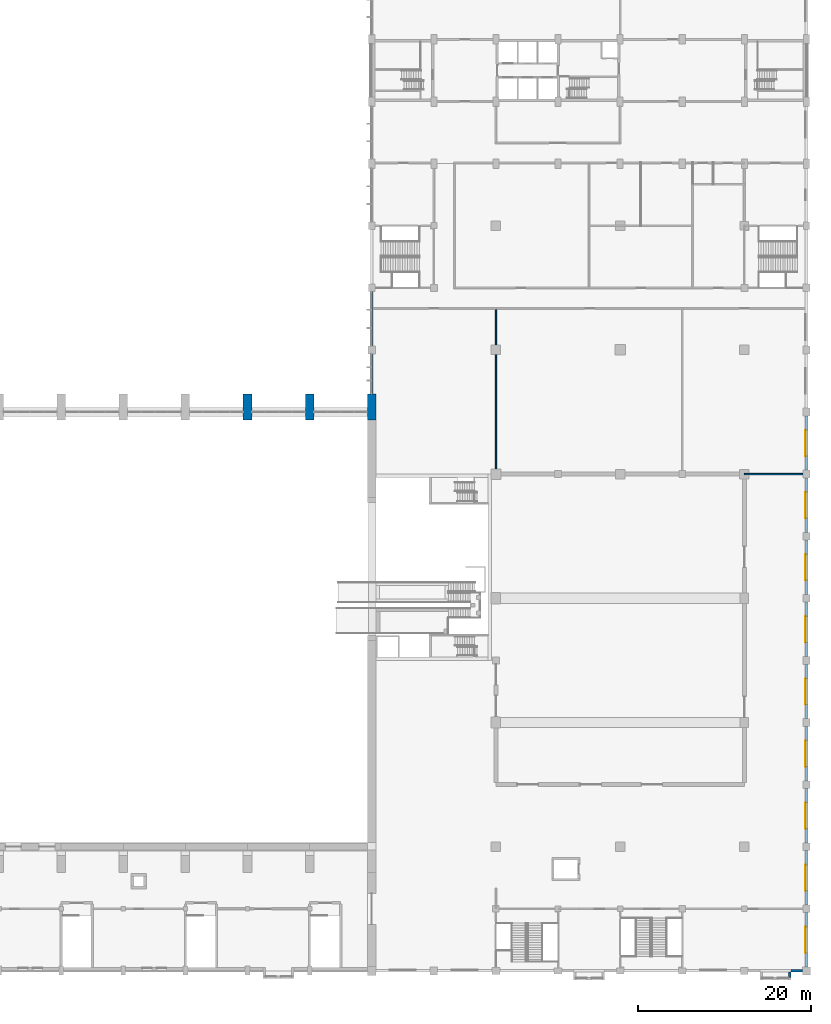
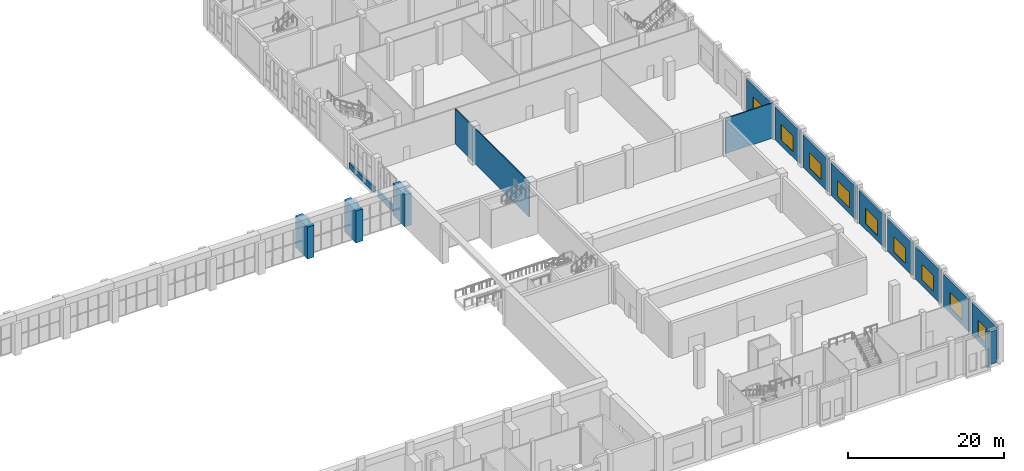
# One storey, part 34 of 44: 18 walls, 9 windows, 9 openings.
"""IFC4 building model written with IfcOpenShell, lengths in metres."""

from ifc_helpers import new_model, si_unit, direction, frame, frame_2d, origin, place, context, subcontext, project, spatial, rectangle, extrude, material, layer, layer_set, type_object, element, fill, save


model = new_model("IFC4")

# Units and contexts
model_context = context("Model", 3, precision=1e-05, world=origin(), true_north=direction((0.0, 1.0)))
body_context = subcontext(model_context, "Body", "Model", "MODEL_VIEW")
ifc_project = project(units=[si_unit("LENGTHUNIT", "METRE"), si_unit("AREAUNIT", "SQUARE_METRE"), si_unit("VOLUMEUNIT", "CUBIC_METRE"), si_unit("PLANEANGLEUNIT", "RADIAN"), si_unit("MASSUNIT", "GRAM", prefix="KILO")], contexts=[model_context])

# Site, building, storey
site_placement = place(None, origin())
site = spatial("IfcSite", under=ifc_project, at=site_placement, CompositionType="ELEMENT")
building_placement = place(site_placement, origin())
building = spatial("IfcBuilding", under=site, at=building_placement, Name="Vermilion Court Aquatics Centre", CompositionType="ELEMENT")
storey_placement = place(building_placement, frame((0.0, 0.0, 6.0)))
storey = spatial("IfcBuildingStorey", under=building, at=storey_placement, Name="L01", CompositionType="ELEMENT", Elevation=6.0)

# Wall
ifc_material_1 = material(Name="Brick masonry", Category="masonry")
ifc_layer_1 = layer(ifc_material_1, 0.300048828125)
ifc_layer_set_1 = layer_set([ifc_layer_1], Name="Podium facade brick wall 300")
wall_type_1 = type_object("IfcWallType", Name="Podium facade brick wall 300", PredefinedType="SOLIDWALL", material=ifc_layer_set_1)
wall_1_placement = place(storey_placement, frame((192.60009765625, 0.0, 0.0), z_axis=(0.0, 0.0, 1.0), x_axis=(1.0, 0.0, 0.0)))
element("IfcWall", 1, at=wall_1_placement, inside=storey, type_object=wall_type_1, Name="Facade wall L01", PredefinedType="SOLIDWALL", context=body_context, shape_type="SweptSolid", body=[
    extrude(rectangle(XDim=1.349853515625, YDim=0.300048828125, at=frame_2d((0.6748046875, 0.0))), origin(), (0.0, 0.0, 1.0), 5.10009765625),
])

# Wall, opening, window
wall_2_placement = place(storey_placement, frame((194.39990234375, 0.449951171875, 0.0), z_axis=(0.0, 0.0, 1.0), x_axis=(0.0, 1.0, 0.0)))
wall_2 = element("IfcWall", 2, at=wall_2_placement, inside=storey, type_object=wall_type_1, Name="Facade wall L01", PredefinedType="SOLIDWALL", context=body_context, shape_type="SweptSolid", body=[
    extrude(rectangle(XDim=6.300048828125, YDim=0.300048828125, at=frame_2d((3.14990234375, 0.0))), origin(), (0.0, 0.0, 1.0), 5.10009765625),
])
opening_1_placement = place(wall_2_placement, frame((1.64990234375, 0.0, 0.89990234375)))
opening_1 = element("IfcOpeningElement", 3, at=opening_1_placement, cuts=wall_2, Name="Opening PN1", PredefinedType="OPENING", context=body_context, shape_type="SweptSolid", body=[
    extrude(rectangle(XDim=3.0, YDim=2.39990234375, at=frame_2d((1.5, 1.199951171875))), frame((0.0, 0.159912109375, 0.0), z_axis=(0.0, -1.0, 0.0), x_axis=(1.0, 0.0, 0.0)), (0.0, 0.0, 1.0), 0.320068359375),
])
ifc_material_2 = material(Name="Aluminium 6063-T5", Category="aluminium")
window_type = type_object("IfcWindowType", Name="Podium window 3000x2400", PartitioningType="DOUBLE_PANEL_VERTICAL", PredefinedType="WINDOW", material=ifc_material_2)
window_1_placement = place(opening_1_placement, origin())
window_1 = element("IfcWindow", 4, at=window_1_placement, inside=storey, type_object=window_type, Name="Window L01", OverallHeight=2.39990234375, OverallWidth=3.0, PartitioningType="DOUBLE_PANEL_VERTICAL", PredefinedType="WINDOW", context=body_context, shape_type="SweptSolid", body=[
    extrude(rectangle(XDim=3.0, YDim=2.39990234375, at=frame_2d((1.5, 1.199951171875))), frame((0.0, 0.1201171875, 0.0), z_axis=(0.0, -1.0, 0.0), x_axis=(1.0, 0.0, 0.0)), (0.0, 0.0, 1.0), 0.06005859375),
])
fill(opening_1, window_1)

wall_3_placement = place(storey_placement, frame((194.39990234375, 7.64990234375, 0.0), z_axis=(0.0, 0.0, 1.0), x_axis=(0.0, 1.0, 0.0)))
wall_3 = element("IfcWall", 5, at=wall_3_placement, inside=storey, type_object=wall_type_1, Name="Facade wall L01", PredefinedType="SOLIDWALL", context=body_context, shape_type="SweptSolid", body=[
    extrude(rectangle(XDim=6.300048828125, YDim=0.300048828125, at=frame_2d((3.14990234375, 0.0))), origin(), (0.0, 0.0, 1.0), 5.10009765625),
])
opening_2_placement = place(wall_3_placement, frame((1.64990234375, 0.0, 0.89990234375)))
opening_2 = element("IfcOpeningElement", 6, at=opening_2_placement, cuts=wall_3, Name="Opening PN1", PredefinedType="OPENING", context=body_context, shape_type="SweptSolid", body=[
    extrude(rectangle(XDim=3.0, YDim=2.39990234375, at=frame_2d((1.5, 1.199951171875))), frame((0.0, 0.159912109375, 0.0), z_axis=(0.0, -1.0, 0.0), x_axis=(1.0, 0.0, 0.0)), (0.0, 0.0, 1.0), 0.320068359375),
])
window_2_placement = place(opening_2_placement, origin())
window_2 = element("IfcWindow", 7, at=window_2_placement, inside=storey, type_object=window_type, Name="Window L01", OverallHeight=2.39990234375, OverallWidth=3.0, PartitioningType="DOUBLE_PANEL_VERTICAL", PredefinedType="WINDOW", context=body_context, shape_type="SweptSolid", body=[
    extrude(rectangle(XDim=3.0, YDim=2.39990234375, at=frame_2d((1.5, 1.199951171875))), frame((0.0, 0.1201171875, 0.0), z_axis=(0.0, -1.0, 0.0), x_axis=(1.0, 0.0, 0.0)), (0.0, 0.0, 1.0), 0.06005859375),
])
fill(opening_2, window_2)

wall_4_placement = place(storey_placement, frame((194.39990234375, 14.85009765625, 0.0), z_axis=(0.0, 0.0, 1.0), x_axis=(0.0, 1.0, 0.0)))
wall_4 = element("IfcWall", 8, at=wall_4_placement, inside=storey, type_object=wall_type_1, Name="Facade wall L01", PredefinedType="SOLIDWALL", context=body_context, shape_type="SweptSolid", body=[
    extrude(rectangle(XDim=6.2998046875, YDim=0.300048828125, at=frame_2d((3.14990234375, 0.0))), origin(), (0.0, 0.0, 1.0), 5.10009765625),
])
opening_3_placement = place(wall_4_placement, frame((1.64990234375, 0.0, 0.89990234375)))
opening_3 = element("IfcOpeningElement", 9, at=opening_3_placement, cuts=wall_4, Name="Opening PN1", PredefinedType="OPENING", context=body_context, shape_type="SweptSolid", body=[
    extrude(rectangle(XDim=3.0, YDim=2.39990234375, at=frame_2d((1.5, 1.199951171875))), frame((0.0, 0.159912109375, 0.0), z_axis=(0.0, -1.0, 0.0), x_axis=(1.0, 0.0, 0.0)), (0.0, 0.0, 1.0), 0.320068359375),
])
window_3_placement = place(opening_3_placement, origin())
window_3 = element("IfcWindow", 10, at=window_3_placement, inside=storey, type_object=window_type, Name="Window L01", OverallHeight=2.39990234375, OverallWidth=3.0, PartitioningType="DOUBLE_PANEL_VERTICAL", PredefinedType="WINDOW", context=body_context, shape_type="SweptSolid", body=[
    extrude(rectangle(XDim=3.0, YDim=2.39990234375, at=frame_2d((1.5, 1.199951171875))), frame((0.0, 0.1201171875, 0.0), z_axis=(0.0, -1.0, 0.0), x_axis=(1.0, 0.0, 0.0)), (0.0, 0.0, 1.0), 0.06005859375),
])
fill(opening_3, window_3)

wall_5_placement = place(storey_placement, frame((194.39990234375, 22.050048828125, 0.0), z_axis=(0.0, 0.0, 1.0), x_axis=(0.0, 1.0, 0.0)))
wall_5 = element("IfcWall", 11, at=wall_5_placement, inside=storey, type_object=wall_type_1, Name="Facade wall L01", PredefinedType="SOLIDWALL", context=body_context, shape_type="SweptSolid", body=[
    extrude(rectangle(XDim=6.300048828125, YDim=0.300048828125, at=frame_2d((3.14990234375, 0.0))), origin(), (0.0, 0.0, 1.0), 5.10009765625),
])
opening_4_placement = place(wall_5_placement, frame((1.64990234375, 0.0, 0.89990234375)))
opening_4 = element("IfcOpeningElement", 12, at=opening_4_placement, cuts=wall_5, Name="Opening PN1", PredefinedType="OPENING", context=body_context, shape_type="SweptSolid", body=[
    extrude(rectangle(XDim=3.0, YDim=2.39990234375, at=frame_2d((1.5, 1.199951171875))), frame((0.0, 0.159912109375, 0.0), z_axis=(0.0, -1.0, 0.0), x_axis=(1.0, 0.0, 0.0)), (0.0, 0.0, 1.0), 0.320068359375),
])
window_4_placement = place(opening_4_placement, origin())
window_4 = element("IfcWindow", 13, at=window_4_placement, inside=storey, type_object=window_type, Name="Window L01", OverallHeight=2.39990234375, OverallWidth=3.0, PartitioningType="DOUBLE_PANEL_VERTICAL", PredefinedType="WINDOW", context=body_context, shape_type="SweptSolid", body=[
    extrude(rectangle(XDim=3.0, YDim=2.39990234375, at=frame_2d((1.5, 1.199951171875))), frame((0.0, 0.1201171875, 0.0), z_axis=(0.0, -1.0, 0.0), x_axis=(1.0, 0.0, 0.0)), (0.0, 0.0, 1.0), 0.06005859375),
])
fill(opening_4, window_4)

wall_6_placement = place(storey_placement, frame((194.39990234375, 29.25, 0.0), z_axis=(0.0, 0.0, 1.0), x_axis=(0.0, 1.0, 0.0)))
wall_6 = element("IfcWall", 14, at=wall_6_placement, inside=storey, type_object=wall_type_1, Name="Facade wall L01", PredefinedType="SOLIDWALL", context=body_context, shape_type="SweptSolid", body=[
    extrude(rectangle(XDim=6.300048828125, YDim=0.300048828125, at=frame_2d((3.14990234375, 0.0))), origin(), (0.0, 0.0, 1.0), 5.10009765625),
])
opening_5_placement = place(wall_6_placement, frame((1.64990234375, 0.0, 0.89990234375)))
opening_5 = element("IfcOpeningElement", 15, at=opening_5_placement, cuts=wall_6, Name="Opening PN1", PredefinedType="OPENING", context=body_context, shape_type="SweptSolid", body=[
    extrude(rectangle(XDim=3.0, YDim=2.39990234375, at=frame_2d((1.5, 1.199951171875))), frame((0.0, 0.159912109375, 0.0), z_axis=(0.0, -1.0, 0.0), x_axis=(1.0, 0.0, 0.0)), (0.0, 0.0, 1.0), 0.320068359375),
])
window_5_placement = place(opening_5_placement, origin())
window_5 = element("IfcWindow", 16, at=window_5_placement, inside=storey, type_object=window_type, Name="Window L01", OverallHeight=2.39990234375, OverallWidth=3.0, PartitioningType="DOUBLE_PANEL_VERTICAL", PredefinedType="WINDOW", context=body_context, shape_type="SweptSolid", body=[
    extrude(rectangle(XDim=3.0, YDim=2.39990234375, at=frame_2d((1.5, 1.199951171875))), frame((0.0, 0.1201171875, 0.0), z_axis=(0.0, -1.0, 0.0), x_axis=(1.0, 0.0, 0.0)), (0.0, 0.0, 1.0), 0.06005859375),
])
fill(opening_5, window_5)

wall_7_placement = place(storey_placement, frame((194.39990234375, 36.449951171875, 0.0), z_axis=(0.0, 0.0, 1.0), x_axis=(0.0, 1.0, 0.0)))
wall_7 = element("IfcWall", 17, at=wall_7_placement, inside=storey, type_object=wall_type_1, Name="Facade wall L01", PredefinedType="SOLIDWALL", context=body_context, shape_type="SweptSolid", body=[
    extrude(rectangle(XDim=6.300048828125, YDim=0.300048828125, at=frame_2d((3.14990234375, 0.0))), origin(), (0.0, 0.0, 1.0), 5.10009765625),
])
opening_6_placement = place(wall_7_placement, frame((1.64990234375, 0.0, 0.89990234375)))
opening_6 = element("IfcOpeningElement", 18, at=opening_6_placement, cuts=wall_7, Name="Opening PN1", PredefinedType="OPENING", context=body_context, shape_type="SweptSolid", body=[
    extrude(rectangle(XDim=3.0, YDim=2.39990234375, at=frame_2d((1.5, 1.199951171875))), frame((0.0, 0.159912109375, 0.0), z_axis=(0.0, -1.0, 0.0), x_axis=(1.0, 0.0, 0.0)), (0.0, 0.0, 1.0), 0.320068359375),
])
window_6_placement = place(opening_6_placement, origin())
window_6 = element("IfcWindow", 19, at=window_6_placement, inside=storey, type_object=window_type, Name="Window L01", OverallHeight=2.39990234375, OverallWidth=3.0, PartitioningType="DOUBLE_PANEL_VERTICAL", PredefinedType="WINDOW", context=body_context, shape_type="SweptSolid", body=[
    extrude(rectangle(XDim=3.0, YDim=2.39990234375, at=frame_2d((1.5, 1.199951171875))), frame((0.0, 0.1201171875, 0.0), z_axis=(0.0, -1.0, 0.0), x_axis=(1.0, 0.0, 0.0)), (0.0, 0.0, 1.0), 0.06005859375),
])
fill(opening_6, window_6)

wall_8_placement = place(storey_placement, frame((194.39990234375, 43.64990234375, 0.0), z_axis=(0.0, 0.0, 1.0), x_axis=(0.0, 1.0, 0.0)))
wall_8 = element("IfcWall", 20, at=wall_8_placement, inside=storey, type_object=wall_type_1, Name="Facade wall L01", PredefinedType="SOLIDWALL", context=body_context, shape_type="SweptSolid", body=[
    extrude(rectangle(XDim=6.300048828125, YDim=0.300048828125, at=frame_2d((3.14990234375, 0.0))), origin(), (0.0, 0.0, 1.0), 5.10009765625),
])
opening_7_placement = place(wall_8_placement, frame((1.64990234375, 0.0, 0.89990234375)))
opening_7 = element("IfcOpeningElement", 21, at=opening_7_placement, cuts=wall_8, Name="Opening PN1", PredefinedType="OPENING", context=body_context, shape_type="SweptSolid", body=[
    extrude(rectangle(XDim=3.0, YDim=2.39990234375, at=frame_2d((1.5, 1.199951171875))), frame((0.0, 0.159912109375, 0.0), z_axis=(0.0, -1.0, 0.0), x_axis=(1.0, 0.0, 0.0)), (0.0, 0.0, 1.0), 0.320068359375),
])
window_7_placement = place(opening_7_placement, origin())
window_7 = element("IfcWindow", 22, at=window_7_placement, inside=storey, type_object=window_type, Name="Window L01", OverallHeight=2.39990234375, OverallWidth=3.0, PartitioningType="DOUBLE_PANEL_VERTICAL", PredefinedType="WINDOW", context=body_context, shape_type="SweptSolid", body=[
    extrude(rectangle(XDim=3.0, YDim=2.39990234375, at=frame_2d((1.5, 1.199951171875))), frame((0.0, 0.1201171875, 0.0), z_axis=(0.0, -1.0, 0.0), x_axis=(1.0, 0.0, 0.0)), (0.0, 0.0, 1.0), 0.06005859375),
])
fill(opening_7, window_7)

wall_9_placement = place(storey_placement, frame((194.39990234375, 50.85009765625, 0.0), z_axis=(0.0, 0.0, 1.0), x_axis=(0.0, 1.0, 0.0)))
wall_9 = element("IfcWall", 23, at=wall_9_placement, inside=storey, type_object=wall_type_1, Name="Facade wall L01", PredefinedType="SOLIDWALL", context=body_context, shape_type="SweptSolid", body=[
    extrude(rectangle(XDim=6.2998046875, YDim=0.300048828125, at=frame_2d((3.14990234375, 0.0))), origin(), (0.0, 0.0, 1.0), 5.10009765625),
])
opening_8_placement = place(wall_9_placement, frame((1.64990234375, 0.0, 0.89990234375)))
opening_8 = element("IfcOpeningElement", 24, at=opening_8_placement, cuts=wall_9, Name="Opening PN1", PredefinedType="OPENING", context=body_context, shape_type="SweptSolid", body=[
    extrude(rectangle(XDim=3.0, YDim=2.39990234375, at=frame_2d((1.5, 1.199951171875))), frame((0.0, 0.159912109375, 0.0), z_axis=(0.0, -1.0, 0.0), x_axis=(1.0, 0.0, 0.0)), (0.0, 0.0, 1.0), 0.320068359375),
])
window_8_placement = place(opening_8_placement, origin())
window_8 = element("IfcWindow", 25, at=window_8_placement, inside=storey, type_object=window_type, Name="Window L01", OverallHeight=2.39990234375, OverallWidth=3.0, PartitioningType="DOUBLE_PANEL_VERTICAL", PredefinedType="WINDOW", context=body_context, shape_type="SweptSolid", body=[
    extrude(rectangle(XDim=3.0, YDim=2.39990234375, at=frame_2d((1.5, 1.199951171875))), frame((0.0, 0.1201171875, 0.0), z_axis=(0.0, -1.0, 0.0), x_axis=(1.0, 0.0, 0.0)), (0.0, 0.0, 1.0), 0.06005859375),
])
fill(opening_8, window_8)

wall_10_placement = place(storey_placement, frame((194.39990234375, 58.050048828125, 0.0), z_axis=(0.0, 0.0, 1.0), x_axis=(0.0, 1.0, 0.0)))
wall_10 = element("IfcWall", 26, at=wall_10_placement, inside=storey, type_object=wall_type_1, Name="Facade wall L01", PredefinedType="SOLIDWALL", context=body_context, shape_type="SweptSolid", body=[
    extrude(rectangle(XDim=6.300048828125, YDim=0.300048828125, at=frame_2d((3.14990234375, 0.0))), origin(), (0.0, 0.0, 1.0), 5.10009765625),
])
opening_9_placement = place(wall_10_placement, frame((1.64990234375, 0.0, 0.89990234375)))
opening_9 = element("IfcOpeningElement", 27, at=opening_9_placement, cuts=wall_10, Name="Opening PN1", PredefinedType="OPENING", context=body_context, shape_type="SweptSolid", body=[
    extrude(rectangle(XDim=3.0, YDim=2.39990234375, at=frame_2d((1.5, 1.199951171875))), frame((0.0, 0.159912109375, 0.0), z_axis=(0.0, -1.0, 0.0), x_axis=(1.0, 0.0, 0.0)), (0.0, 0.0, 1.0), 0.320068359375),
])
window_9_placement = place(opening_9_placement, origin())
window_9 = element("IfcWindow", 28, at=window_9_placement, inside=storey, type_object=window_type, Name="Window L01", OverallHeight=2.39990234375, OverallWidth=3.0, PartitioningType="DOUBLE_PANEL_VERTICAL", PredefinedType="WINDOW", context=body_context, shape_type="SweptSolid", body=[
    extrude(rectangle(XDim=3.0, YDim=2.39990234375, at=frame_2d((1.5, 1.199951171875))), frame((0.0, 0.1201171875, 0.0), z_axis=(0.0, -1.0, 0.0), x_axis=(1.0, 0.0, 0.0)), (0.0, 0.0, 1.0), 0.06005859375),
])
fill(opening_9, window_9)

# Walls
wall_11_placement = place(storey_placement, frame((144.0, 66.89990234375, 0.0), z_axis=(0.0, 0.0, 1.0), x_axis=(0.0, 1.0, 0.0)))
element("IfcWall", 29, at=wall_11_placement, inside=storey, type_object=wall_type_1, Name="Facade sill wall L01", PredefinedType="SOLIDWALL", context=body_context, shape_type="SweptSolid", body=[
    extrude(rectangle(XDim=4.650146484375, YDim=0.300048828125, at=frame_2d((2.3251953125, 0.0))), origin(), (0.0, 0.0, 1.0), 0.89990234375),
])
wall_12_placement = place(storey_placement, frame((144.0, 72.449951171875, 0.0), z_axis=(0.0, 0.0, 1.0), x_axis=(0.0, 1.0, 0.0)))
element("IfcWall", 30, at=wall_12_placement, inside=storey, type_object=wall_type_1, Name="Facade sill wall L01", PredefinedType="SOLIDWALL", context=body_context, shape_type="SweptSolid", body=[
    extrude(rectangle(XDim=6.300048828125, YDim=0.300048828125, at=frame_2d((3.14990234375, 0.0))), origin(), (0.0, 0.0, 1.0), 0.89990234375),
])
ifc_material_3 = material(Name="Gypsum board")
ifc_layer_2 = layer(ifc_material_3, 0.14990234375)
ifc_layer_set_2 = layer_set([ifc_layer_2], Name="Podium partition wall 150")
wall_type_2 = type_object("IfcWallType", Name="Podium partition wall 150", PredefinedType="PARTITIONING", material=ifc_layer_set_2)
wall_13_placement = place(storey_placement, frame((158.39990234375, 57.824951171875, 0.0), z_axis=(0.0, 0.0, 1.0), x_axis=(0.0, 1.0, 0.0)))
element("IfcWall", 31, at=wall_13_placement, inside=storey, type_object=wall_type_2, Name="Partition", PredefinedType="PARTITIONING", context=body_context, shape_type="SweptSolid", body=[
    extrude(rectangle(XDim=18.887451171875, YDim=0.14990234375, at=frame_2d((9.44384765625, 0.0))), origin(), (0.0, 0.0, 1.0), 5.5),
])
wall_14_placement = place(storey_placement, frame((187.199951171875, 57.60009765625, 0.0), z_axis=(0.0, 0.0, 1.0), x_axis=(1.0, 0.0, 0.0)))
element("IfcWall", 32, at=wall_14_placement, inside=storey, type_object=wall_type_2, Name="Partition", PredefinedType="PARTITIONING", context=body_context, shape_type="SweptSolid", body=[
    extrude(rectangle(XDim=7.050048828125, YDim=0.14990234375, at=frame_2d((3.52490234375, 0.0))), origin(), (0.0, 0.0, 1.0), 5.5),
])
ifc_material_4 = material(Name="Brick masonry", Category="masonry")
ifc_layer_3 = layer(ifc_material_4, 0.300048828125)
ifc_layer_set_3 = layer_set([ifc_layer_3], Name="Podium projecting bay wall 300")
wall_type_3 = type_object("IfcWallType", Name="Podium projecting bay wall 300", PredefinedType="SOLIDWALL", material=ifc_layer_set_3)
wall_15_placement = place(storey_placement, frame((192.449951171875, -0.75, 0.0), z_axis=(0.0, 0.0, 1.0), x_axis=(0.0, 1.0, 0.0)))
element("IfcWall", 33, at=wall_15_placement, inside=storey, type_object=wall_type_3, Name="Projecting bay side wall L01", PredefinedType="SOLIDWALL", context=body_context, shape_type="SweptSolid", body=[
    extrude(rectangle(XDim=0.60009765625, YDim=0.300048828125, at=frame_2d((0.300048828125, 0.0))), origin(), (0.0, 0.0, 1.0), 5.699951171875),
])
ifc_material_5 = material(Name="Concrete 5000 psi", Category="concrete")
ifc_layer_4 = layer(ifc_material_5, 1.0)
ifc_layer_set_4 = layer_set([ifc_layer_4], Name="Roof buttress pier")
wall_type_4 = type_object("IfcWallType", Name="Roof buttress pier", PredefinedType="SOLIDWALL", material=ifc_layer_set_4)
for number, where, z_axis, x_axis, name in (
    (34, (129.60009765625, 63.89990234375, 0.0), (0.0, 0.0, 1.0), (0.0, 1.0, 0.0), "Buttress pier BPN17"),
    (35, (136.800048828125, 63.89990234375, 0.0), (0.0, 0.0, 1.0), (0.0, 1.0, 0.0), "Buttress pier BPN18"),
    (36, (144.0, 63.89990234375, 0.0), (0.0, 0.0, 1.0), (0.0, 1.0, 0.0), "Buttress pier BPN19"),
):
    element("IfcWall", number, at=place(storey_placement, frame(where, z_axis=z_axis, x_axis=x_axis)), inside=storey, type_object=wall_type_4, Name=name, PredefinedType="SOLIDWALL", context=body_context, shape_type="SweptSolid", body=[
        extrude(rectangle(XDim=3.0, YDim=1.0, at=frame_2d((1.5, 0.0))), origin(), (0.0, 0.0, 1.0), 5.0),
    ])

save(model, "model.ifc")
